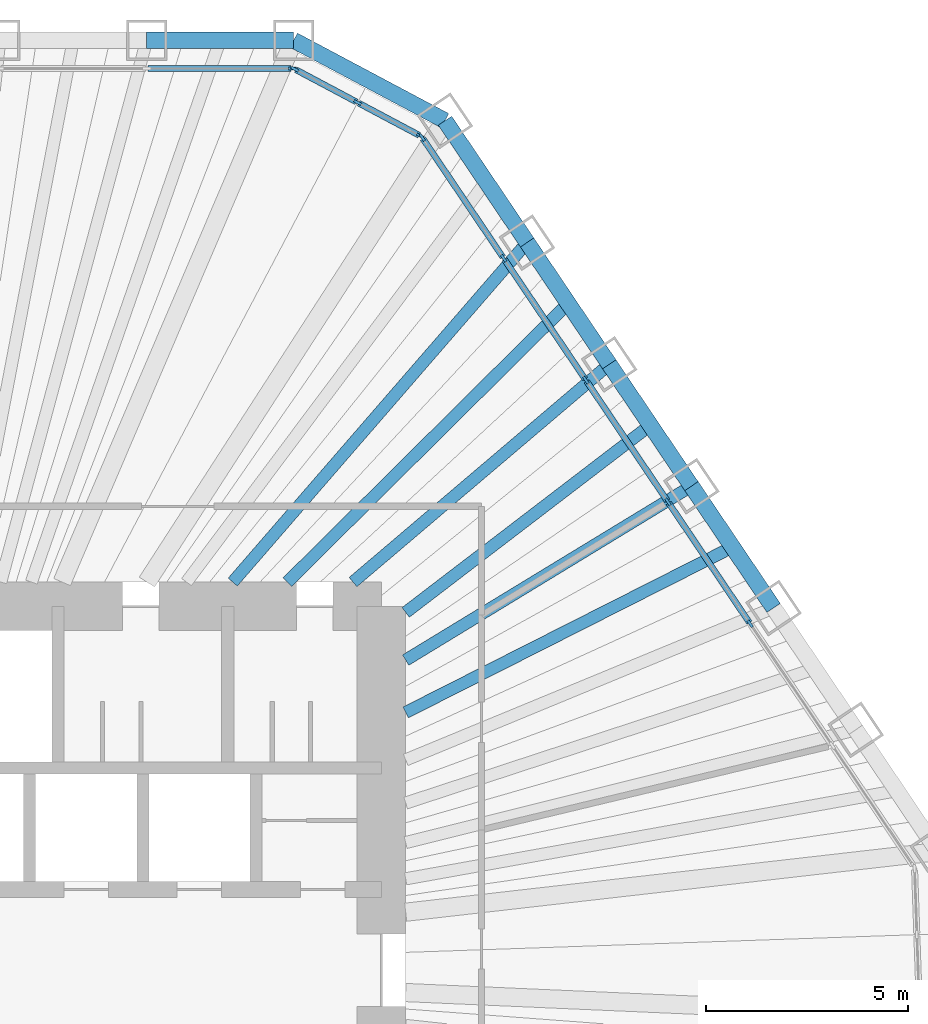
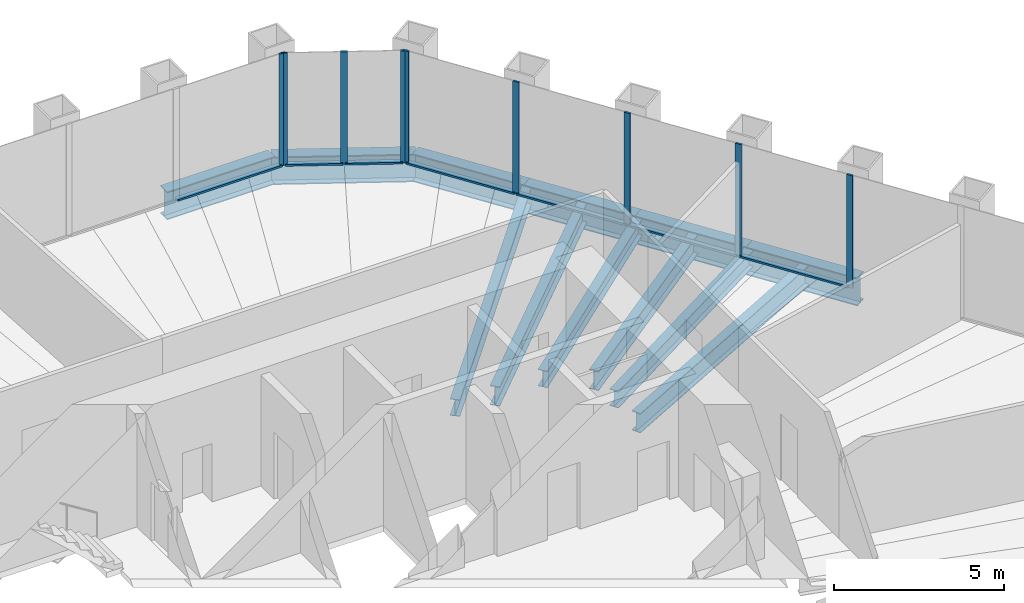
# One storey, part 7 of 13: 16 members, 12 beams, 3 elements without a shape of their own.
"""IFC4 building model written with IfcOpenShell, lengths in metres."""

from ifc_helpers import new_model, si_unit, direction, frame, origin, origin_2d, place, context, subcontext, project, spatial, rectangle, i_section, extrude, material, material_profile, profile_set, type_object, element, aggregate, save


model = new_model("IFC4")

# Units and contexts
model_context = context("Model", 3, precision=1e-05, world=origin(), true_north=direction((0.0, 1.0)))
body_context = subcontext(model_context, "Body", "Model", "MODEL_VIEW")
ifc_project = project(units=[si_unit("LENGTHUNIT", "METRE"), si_unit("AREAUNIT", "SQUARE_METRE"), si_unit("VOLUMEUNIT", "CUBIC_METRE"), si_unit("PLANEANGLEUNIT", "RADIAN"), si_unit("MASSUNIT", "GRAM", prefix="KILO")], contexts=[model_context])

# Site, building, storey
site_placement = place(None, origin())
site = spatial("IfcSite", under=ifc_project, at=site_placement, CompositionType="ELEMENT")
building_placement = place(site_placement, origin())
building = spatial("IfcBuilding", under=site, at=building_placement, Name="Qingtian Harvest Tower", CompositionType="ELEMENT")
storey_placement = place(building_placement, frame((0.0, 0.0, 230.800048828125)))
storey = spatial("IfcBuildingStorey", under=building, at=storey_placement, Name="L50", CompositionType="ELEMENT", Elevation=230.800048828125)

# Beams
ifc_material_1 = material(Name="Steel SN490B", Category="steel")
ifc_material_profile_1 = material_profile(ifc_material_1, i_section(OverallWidth=0.300048828125, OverallDepth=0.60009765625, WebThickness=0.011962890625, FlangeThickness=0.02001953125, at=origin_2d()), Name="H600x300x12x20")
ifc_profile_set_1 = profile_set([ifc_material_profile_1], Name="Steel SN490B")
beam_type_1 = type_object("IfcBeamType", Name="Floor beam FB3 H600x300x12x20", PredefinedType="BEAM", material=ifc_profile_set_1)
beam_1_placement = place(storey_placement, frame((15.603271484375, 17.998046875, -0.469970703125), z_axis=(-0.655048444444, -0.755586881458, 0.0), x_axis=(0.755586881458, -0.655048444444, 0.0)))
element("IfcBeam", 1, at=beam_1_placement, inside=storey, type_object=beam_type_1, Name="Floor beam FB3 NE1", PredefinedType="BEAM", context=body_context, shape_type="SweptSolid", body=[
    extrude(i_section(OverallWidth=0.300048828125, OverallDepth=0.60009765625, WebThickness=0.011962890625, FlangeThickness=0.02001953125, at=origin_2d()), origin(), (0.0, 0.0, 1.0), 11.114501953125),
])
beam_2_placement = place(storey_placement, frame((17.635009765625, 14.985595703125, -0.469970703125), z_axis=(-0.762028398305, -0.647543604846, 0.0), x_axis=(0.647543604846, -0.762028398305, 0.0)))
element("IfcBeam", 2, at=beam_2_placement, inside=storey, type_object=beam_type_1, Name="Floor beam FB3 NE2", PredefinedType="BEAM", context=body_context, shape_type="SweptSolid", body=[
    extrude(i_section(OverallWidth=0.300048828125, OverallDepth=0.60009765625, WebThickness=0.011962890625, FlangeThickness=0.02001953125, at=origin_2d()), origin(), (0.0, 0.0, 1.0), 8.31689453125),
])
beam_3_placement = place(storey_placement, frame((19.6669921875, 11.97314453125, -0.469970703125), z_axis=(-0.854163224424, -0.520004986554, 0.0), x_axis=(0.520004986554, -0.854163224424, 0.0)))
element("IfcBeam", 3, at=beam_3_placement, inside=storey, type_object=beam_type_1, Name="Floor beam FB3 NE3", PredefinedType="BEAM", context=body_context, shape_type="SweptSolid", body=[
    extrude(i_section(OverallWidth=0.300048828125, OverallDepth=0.60009765625, WebThickness=0.011962890625, FlangeThickness=0.02001953125, at=origin_2d()), origin(), (0.0, 0.0, 1.0), 8.2734375),
])
ifc_material_2 = material(Name="Steel SN490B", Category="steel")
ifc_material_profile_2 = material_profile(ifc_material_2, i_section(OverallWidth=0.300048828125, OverallDepth=0.699951171875, WebThickness=0.012939453125, FlangeThickness=0.02392578125, at=origin_2d()), Name="H700x300x13x24")
ifc_profile_set_2 = profile_set([ifc_material_profile_2], Name="Steel SN490B")
beam_type_2 = type_object("IfcBeamType", Name="Floor joist J2 H700x300x13x24", PredefinedType="JOIST", material=ifc_profile_set_2)
beam_4_placement = place(storey_placement, frame((16.619140625, 16.49169921875, -0.52001953125), z_axis=(-0.709833839663, -0.704369164622, 0.0), x_axis=(0.704369164622, -0.709833839663, 0.0)))
element("IfcBeam", 4, at=beam_4_placement, inside=storey, type_object=beam_type_2, Name="Floor joist J2 NE1", PredefinedType="JOIST", context=body_context, shape_type="SweptSolid", body=[
    extrude(i_section(OverallWidth=0.300048828125, OverallDepth=0.699951171875, WebThickness=0.012939453125, FlangeThickness=0.02392578125, at=origin_2d()), origin(), (0.0, 0.0, 1.0), 9.7841796875),
])
beam_5_placement = place(storey_placement, frame((18.651123046875, 13.4794921875, -0.52001953125), z_axis=(-0.794222288871, -0.607627316585, 0.0), x_axis=(0.607627316585, -0.794222288871, 0.0)))
element("IfcBeam", 5, at=beam_5_placement, inside=storey, type_object=beam_type_2, Name="Floor joist J2 NE2", PredefinedType="JOIST", context=body_context, shape_type="SweptSolid", body=[
    extrude(i_section(OverallWidth=0.300048828125, OverallDepth=0.699951171875, WebThickness=0.012939453125, FlangeThickness=0.02392578125, at=origin_2d()), origin(), (0.0, 0.0, 1.0), 7.618896484375),
])
beam_6_placement = place(storey_placement, frame((20.682861328125, 10.467041015625, -0.52001953125), z_axis=(-0.892244443914, -0.451552712652, 0.0), x_axis=(0.451552712652, -0.892244443914, 0.0)))
element("IfcBeam", 6, at=beam_6_placement, inside=storey, type_object=beam_type_2, Name="Floor joist J2 NE3", PredefinedType="JOIST", context=body_context, shape_type="SweptSolid", body=[
    extrude(i_section(OverallWidth=0.300048828125, OverallDepth=0.699951171875, WebThickness=0.012939453125, FlangeThickness=0.02392578125, at=origin_2d()), origin(), (0.0, 0.0, 1.0), 9.058837890625),
])

# Curtain wall, member
ifc_material_3 = material(Name="Bronze-anodised aluminium curtain wall", Category="aluminium")
curtain_wall_type = type_object("IfcCurtainWallType", Name="Curtain wall CW4 office", PredefinedType="USERDEFINED", material=ifc_material_3)
curtain_wall_1_placement = place(storey_placement, origin())
curtain_wall_1 = element("IfcCurtainWall", 7, at=curtain_wall_1_placement, inside=storey, type_object=curtain_wall_type, Name="Curtain wall CW4 L50 N0-5", ObjectType="RECESSED CURTAIN WALL", PredefinedType="USERDEFINED")
ifc_material_4 = material(Name="Bronze-anodised aluminium mullion", Category="aluminium")
ifc_material_profile_3 = material_profile(ifc_material_4, rectangle(XDim=0.06494140625, YDim=0.199951171875, at=origin_2d()), Name="AL 65x200")
ifc_profile_set_3 = profile_set([ifc_material_profile_3], Name="Bronze-anodised aluminium mullion")
member_type_1 = type_object("IfcMemberType", Name="Mullion CWM 65x200", PredefinedType="MULLION", material=ifc_profile_set_3)
member_1_placement = place(storey_placement, frame((9.796875, 22.300048828125, 0.0), z_axis=(0.0, 0.0, 1.0), x_axis=(0.0, 1.0, 0.0)))
member_1 = element("IfcMember", 8, at=member_1_placement, type_object=member_type_1, Name="CW4 mullion 7", PredefinedType="MULLION", context=body_context, shape_type="SweptSolid", body=[
    extrude(rectangle(XDim=0.06494140625, YDim=0.199951171875, at=origin_2d()), origin(), (0.0, 0.0, 1.0), 4.030029296875),
])

# Curtain wall, members
curtain_wall_2_placement = place(storey_placement, origin())
curtain_wall_2 = element("IfcCurtainWall", 9, at=curtain_wall_2_placement, inside=storey, type_object=curtain_wall_type, Name="Curtain wall CW4 L50 NC", ObjectType="RECESSED CURTAIN WALL", PredefinedType="USERDEFINED")
member_2_placement = place(storey_placement, frame((9.85791015625, 22.28466796875, 0.0), z_axis=(0.0, 0.0, 1.0), x_axis=(0.469471562786, 0.882947592859, 0.0)))
member_2 = element("IfcMember", 10, at=member_2_placement, type_object=member_type_1, Name="CW4 mullion 1", PredefinedType="MULLION", context=body_context, shape_type="SweptSolid", body=[
    extrude(rectangle(XDim=0.06494140625, YDim=0.199951171875, at=origin_2d()), origin(), (0.0, 0.0, 1.0), 4.030029296875),
])
member_3_placement = place(storey_placement, frame((11.41015625, 21.45947265625, 0.0), z_axis=(0.0, 0.0, 1.0), x_axis=(0.469471562786, 0.882947592859, 0.0)))
member_3 = element("IfcMember", 11, at=member_3_placement, type_object=member_type_1, Name="CW4 mullion 2", PredefinedType="MULLION", context=body_context, shape_type="SweptSolid", body=[
    extrude(rectangle(XDim=0.06494140625, YDim=0.199951171875, at=origin_2d()), origin(), (0.0, 0.0, 1.0), 4.030029296875),
])
member_4_placement = place(storey_placement, frame((12.96240234375, 20.634033203125, 0.0), z_axis=(0.0, 0.0, 1.0), x_axis=(0.469471562786, 0.882947592859, 0.0)))
member_4 = element("IfcMember", 12, at=member_4_placement, type_object=member_type_1, Name="CW4 mullion 3", PredefinedType="MULLION", context=body_context, shape_type="SweptSolid", body=[
    extrude(rectangle(XDim=0.06494140625, YDim=0.199951171875, at=origin_2d()), origin(), (0.0, 0.0, 1.0), 4.030029296875),
])

curtain_wall_3_placement = place(storey_placement, origin())
curtain_wall_3 = element("IfcCurtainWall", 13, at=curtain_wall_3_placement, inside=storey, type_object=curtain_wall_type, Name="Curtain wall CW4 L50 NE0-5", ObjectType="RECESSED CURTAIN WALL", PredefinedType="USERDEFINED")
member_5_placement = place(storey_placement, frame((13.00927734375, 20.592041015625, 0.0), z_axis=(0.0, 0.0, 1.0), x_axis=(0.829037572555, 0.559192903471, 0.0)))
member_5 = element("IfcMember", 14, at=member_5_placement, type_object=member_type_1, Name="CW4 mullion 1", PredefinedType="MULLION", context=body_context, shape_type="SweptSolid", body=[
    extrude(rectangle(XDim=0.06494140625, YDim=0.199951171875, at=origin_2d()), origin(), (0.0, 0.0, 1.0), 4.030029296875),
])
member_6_placement = place(storey_placement, frame((15.02294921875, 17.6064453125, 0.0), z_axis=(0.0, 0.0, 1.0), x_axis=(0.829037572555, 0.559192903471, 0.0)))
member_6 = element("IfcMember", 15, at=member_6_placement, type_object=member_type_1, Name="CW4 mullion 2", PredefinedType="MULLION", context=body_context, shape_type="SweptSolid", body=[
    extrude(rectangle(XDim=0.06494140625, YDim=0.199951171875, at=origin_2d()), origin(), (0.0, 0.0, 1.0), 4.030029296875),
])
member_7_placement = place(storey_placement, frame((17.0546875, 14.59423828125, 0.0), z_axis=(0.0, 0.0, 1.0), x_axis=(0.829037572555, 0.559192903471, 0.0)))
member_7 = element("IfcMember", 16, at=member_7_placement, type_object=member_type_1, Name="CW4 mullion 3", PredefinedType="MULLION", context=body_context, shape_type="SweptSolid", body=[
    extrude(rectangle(XDim=0.06494140625, YDim=0.199951171875, at=origin_2d()), origin(), (0.0, 0.0, 1.0), 4.030029296875),
])
member_8_placement = place(storey_placement, frame((19.086669921875, 11.581787109375, 0.0), z_axis=(0.0, 0.0, 1.0), x_axis=(0.829037572555, 0.559192903471, 0.0)))
member_8 = element("IfcMember", 17, at=member_8_placement, type_object=member_type_1, Name="CW4 mullion 4", PredefinedType="MULLION", context=body_context, shape_type="SweptSolid", body=[
    extrude(rectangle(XDim=0.06494140625, YDim=0.199951171875, at=origin_2d()), origin(), (0.0, 0.0, 1.0), 4.030029296875),
])
member_9_placement = place(storey_placement, frame((21.118408203125, 8.569580078125, 0.0), z_axis=(0.0, 0.0, 1.0), x_axis=(0.829037572555, 0.559192903471, 0.0)))
member_9 = element("IfcMember", 18, at=member_9_placement, type_object=member_type_1, Name="CW4 mullion 5", PredefinedType="MULLION", context=body_context, shape_type="SweptSolid", body=[
    extrude(rectangle(XDim=0.06494140625, YDim=0.199951171875, at=origin_2d()), origin(), (0.0, 0.0, 1.0), 4.030029296875),
])

# Beams
ifc_material_5 = material(Name="Steel SN490B", Category="steel")
ifc_material_profile_4 = material_profile(ifc_material_5, i_section(OverallWidth=0.39990234375, OverallDepth=1.0, WebThickness=0.01904296875, FlangeThickness=0.035888671875, at=origin_2d()), Name="H1000x400x19x36")
ifc_profile_set_4 = profile_set([ifc_material_profile_4], Name="Steel SN490B")
beam_type_3 = type_object("IfcBeamType", Name="Spandrel beam SB3 H1000x400x19x36", PredefinedType="SPANDREL", material=ifc_profile_set_4)
beam_7_placement = place(storey_placement, frame((6.19580078125, 23.0, -0.5), z_axis=(1.0, 0.0, 0.0), x_axis=(0.0, 1.0, 0.0)))
element("IfcBeam", 19, at=beam_7_placement, inside=storey, type_object=beam_type_3, Name="Spandrel SB3 N5", PredefinedType="SPANDREL", context=body_context, shape_type="SweptSolid", body=[
    extrude(i_section(OverallWidth=0.39990234375, OverallDepth=1.0, WebThickness=0.01904296875, FlangeThickness=0.035888671875, at=origin_2d()), origin(), (0.0, 0.0, 1.0), 3.633544921875),
])
beam_8_placement = place(storey_placement, frame((9.829345703125, 23.0, -0.5), z_axis=(0.882935902835, -0.469493547863, 0.0), x_axis=(0.469493547863, 0.882935902835, 0.0)))
element("IfcBeam", 20, at=beam_8_placement, inside=storey, type_object=beam_type_3, Name="Spandrel SB3 NC", PredefinedType="SPANDREL", context=body_context, shape_type="SweptSolid", body=[
    extrude(i_section(OverallWidth=0.39990234375, OverallDepth=1.0, WebThickness=0.01904296875, FlangeThickness=0.035888671875, at=origin_2d()), origin(), (0.0, 0.0, 1.0), 4.238037109375),
])
for number, where, z_axis, x_axis, name in (
    (21, (13.5712890625, 21.01025390625, -0.5), (0.559235108412, -0.829009103399, 0.0), (0.829009103399, 0.559235108412, 0.0), "Spandrel SB3 NE0"),
    (22, (15.603271484375, 17.998046875, -0.5), (0.55915777886, -0.829061263321, 0.0), (0.829061263321, 0.55915777886, 0.0), "Spandrel SB3 NE1"),
):
    element("IfcBeam", number, at=place(storey_placement, frame(where, z_axis=z_axis, x_axis=x_axis)), inside=storey, type_object=beam_type_3, Name=name, PredefinedType="SPANDREL", context=body_context, shape_type="SweptSolid", body=[
        extrude(i_section(OverallWidth=0.39990234375, OverallDepth=1.0, WebThickness=0.01904296875, FlangeThickness=0.035888671875, at=origin_2d()), origin(), (0.0, 0.0, 1.0), 3.633544921875),
    ])
beam_9_placement = place(storey_placement, frame((17.635009765625, 14.985595703125, -0.5), z_axis=(0.55920395902, -0.829030115385, 0.0), x_axis=(0.829030115385, 0.55920395902, 0.0)))
element("IfcBeam", 23, at=beam_9_placement, inside=storey, type_object=beam_type_3, Name="Spandrel SB3 NE2", PredefinedType="SPANDREL", context=body_context, shape_type="SweptSolid", body=[
    extrude(i_section(OverallWidth=0.39990234375, OverallDepth=1.0, WebThickness=0.01904296875, FlangeThickness=0.035888671875, at=origin_2d()), origin(), (0.0, 0.0, 1.0), 3.6337890625),
])
beam_10_placement = place(storey_placement, frame((19.6669921875, 11.97314453125, -0.5), z_axis=(0.559188928021, -0.829040254016, 0.0), x_axis=(0.829040254016, 0.559188928021, 0.0)))
element("IfcBeam", 24, at=beam_10_placement, inside=storey, type_object=beam_type_3, Name="Spandrel SB3 NE3", PredefinedType="SPANDREL", context=body_context, shape_type="SweptSolid", body=[
    extrude(i_section(OverallWidth=0.39990234375, OverallDepth=1.0, WebThickness=0.01904296875, FlangeThickness=0.035888671875, at=origin_2d()), origin(), (0.0, 0.0, 1.0), 3.63330078125),
])

# Member
ifc_material_6 = material(Name="Bronze-anodised aluminium transom", Category="aluminium")
ifc_material_profile_5 = material_profile(ifc_material_6, rectangle(XDim=0.14990234375, YDim=0.06494140625, at=origin_2d()), Name="AL 65x150")
ifc_profile_set_5 = profile_set([ifc_material_profile_5], Name="Bronze-anodised aluminium transom")
member_type_2 = type_object("IfcMemberType", Name="Transom CWT 65x150", PredefinedType="USERDEFINED", material=ifc_profile_set_5)
member_10_placement = place(storey_placement, frame((6.228271484375, 22.300048828125, 0.032470703125), z_axis=(1.0, 0.0, 0.0), x_axis=(0.0, 1.0, 0.0)))
member_10 = element("IfcMember", 25, at=member_10_placement, type_object=member_type_2, Name="CW4 transom 6.1", ObjectType="TRANSOM", PredefinedType="USERDEFINED", context=body_context, shape_type="SweptSolid", body=[
    extrude(rectangle(XDim=0.14990234375, YDim=0.06494140625, at=origin_2d()), origin(), (0.0, 0.0, 1.0), 3.5361328125),
])

aggregate(curtain_wall_1, [member_1, member_10])

member_11_placement = place(storey_placement, frame((9.88671875, 22.26953125, 0.032470703125), z_axis=(0.882927080927, -0.469510138086, 0.0), x_axis=(0.469510138086, 0.882927080927, 0.0)))
member_11 = element("IfcMember", 26, at=member_11_placement, type_object=member_type_2, Name="CW4 transom 1.1", ObjectType="TRANSOM", PredefinedType="USERDEFINED", context=body_context, shape_type="SweptSolid", body=[
    extrude(rectangle(XDim=0.14990234375, YDim=0.06494140625, at=origin_2d()), origin(), (0.0, 0.0, 1.0), 1.693115234375),
])

member_12_placement = place(storey_placement, frame((11.43896484375, 21.444091796875, 0.032470703125), z_axis=(0.882955074232, -0.469457492098, 0.0), x_axis=(0.469457492098, 0.882955074232, 0.0)))
member_12 = element("IfcMember", 27, at=member_12_placement, type_object=member_type_2, Name="CW4 transom 2.1", ObjectType="TRANSOM", PredefinedType="USERDEFINED", context=body_context, shape_type="SweptSolid", body=[
    extrude(rectangle(XDim=0.14990234375, YDim=0.06494140625, at=origin_2d()), origin(), (0.0, 0.0, 1.0), 1.69287109375),
])

aggregate(curtain_wall_2, [member_2, member_3, member_4, member_11, member_12])

member_13_placement = place(storey_placement, frame((13.02734375, 20.56494140625, 0.032470703125), z_axis=(0.559201266891, -0.829031931295, 0.0), x_axis=(0.829031931295, 0.559201266891, 0.0)))
member_13 = element("IfcMember", 28, at=member_13_placement, type_object=member_type_2, Name="CW4 transom 1.1", ObjectType="TRANSOM", PredefinedType="USERDEFINED", context=body_context, shape_type="SweptSolid", body=[
    extrude(rectangle(XDim=0.14990234375, YDim=0.06494140625, at=origin_2d()), origin(), (0.0, 0.0, 1.0), 3.535888671875),
])

member_14_placement = place(storey_placement, frame((15.041015625, 17.57958984375, 0.032470703125), z_axis=(0.559207281901, -0.829027874, 0.0), x_axis=(0.829027874, 0.559207281901, 0.0)))
member_14 = element("IfcMember", 29, at=member_14_placement, type_object=member_type_2, Name="CW4 transom 2.1", ObjectType="TRANSOM", PredefinedType="USERDEFINED", context=body_context, shape_type="SweptSolid", body=[
    extrude(rectangle(XDim=0.14990234375, YDim=0.06494140625, at=origin_2d()), origin(), (0.0, 0.0, 1.0), 3.568603515625),
])

member_15_placement = place(storey_placement, frame((17.072998046875, 14.567138671875, 0.032470703125), z_axis=(0.559191977147, -0.829038197368, 0.0), x_axis=(0.829038197368, 0.559191977147, 0.0)))
member_15 = element("IfcMember", 30, at=member_15_placement, type_object=member_type_2, Name="CW4 transom 3.1", ObjectType="TRANSOM", PredefinedType="USERDEFINED", context=body_context, shape_type="SweptSolid", body=[
    extrude(rectangle(XDim=0.14990234375, YDim=0.06494140625, at=origin_2d()), origin(), (0.0, 0.0, 1.0), 3.568359375),
])

member_16_placement = place(storey_placement, frame((19.104736328125, 11.554931640625, 0.032470703125), z_axis=(0.559207281901, -0.829027874, 0.0), x_axis=(0.829027874, 0.559207281901, 0.0)))
member_16 = element("IfcMember", 31, at=member_16_placement, type_object=member_type_2, Name="CW4 transom 4.1", ObjectType="TRANSOM", PredefinedType="USERDEFINED", context=body_context, shape_type="SweptSolid", body=[
    extrude(rectangle(XDim=0.14990234375, YDim=0.06494140625, at=origin_2d()), origin(), (0.0, 0.0, 1.0), 3.568603515625),
])

aggregate(curtain_wall_3, [member_5, member_6, member_7, member_8, member_9, member_13, member_14, member_15, member_16])

save(model, "model.ifc")
